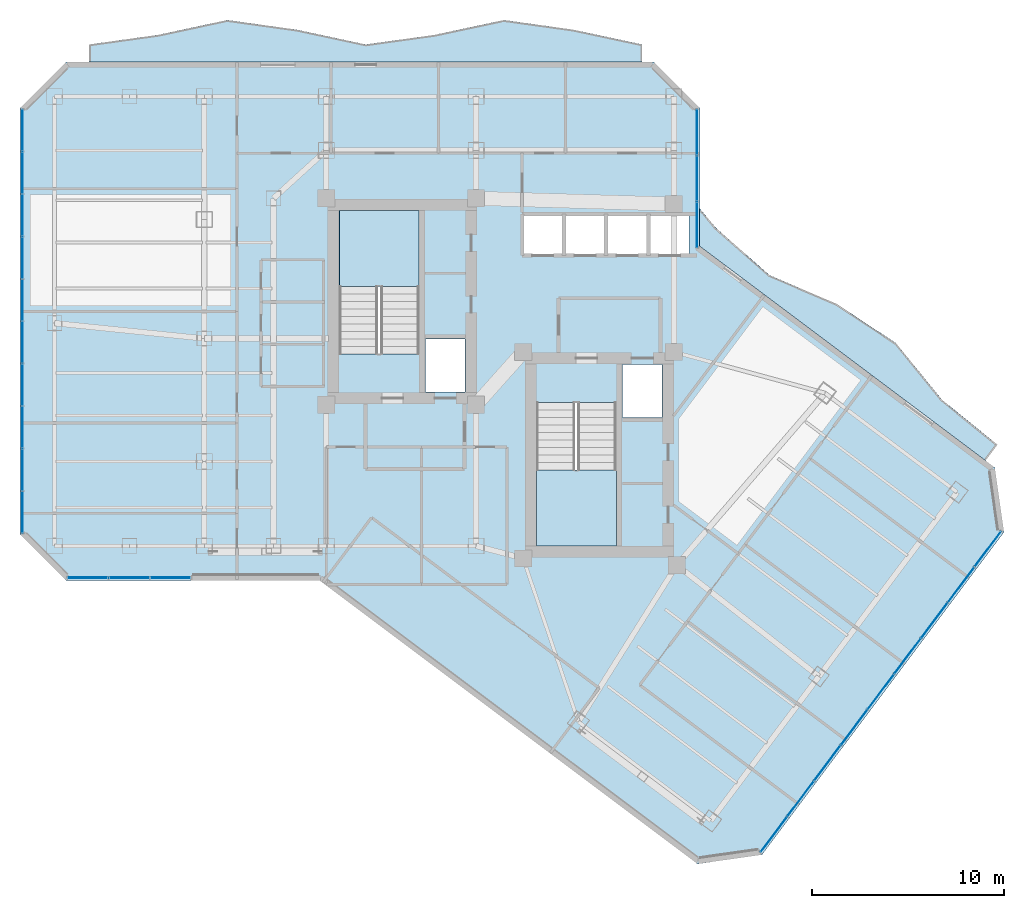
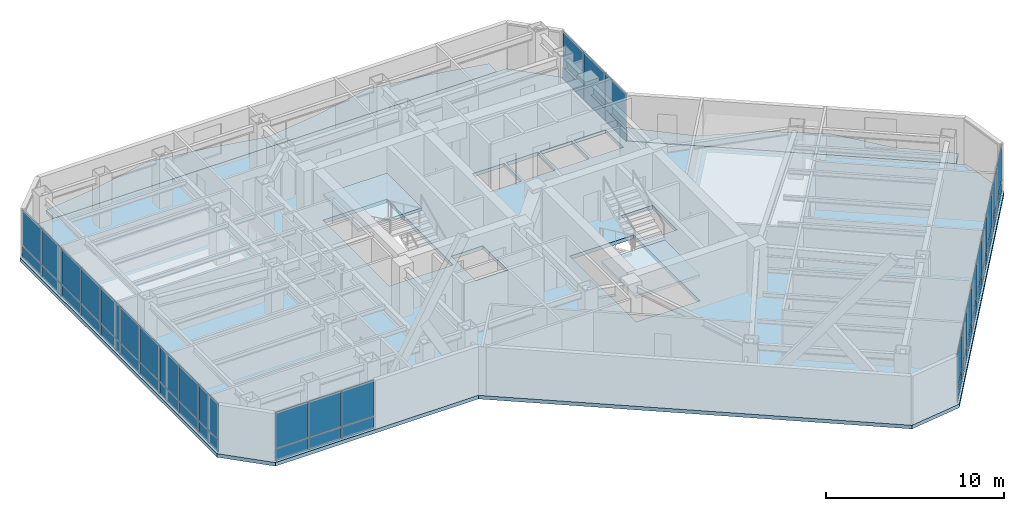
# One storey, part 20 of 27: 50 plates, 5 slabs, 6 elements without a shape of their own.
"""IFC4 building model written with IfcOpenShell, lengths in metres."""

from ifc_helpers import new_model, si_unit, direction, frame, origin, origin_2d, place, context, subcontext, project, spatial, polyline, rectangle, outline, extrude, material, layer, layer_set, type_object, element, aggregate, save


model = new_model("IFC4")

# Units and contexts
model_context = context("Model", 3, precision=1e-05, world=origin(), true_north=direction((0.0, 1.0)))
body_context = subcontext(model_context, "Body", "Model", "MODEL_VIEW")
ifc_project = project(units=[si_unit("LENGTHUNIT", "METRE"), si_unit("AREAUNIT", "SQUARE_METRE"), si_unit("VOLUMEUNIT", "CUBIC_METRE"), si_unit("PLANEANGLEUNIT", "RADIAN"), si_unit("MASSUNIT", "GRAM", prefix="KILO")], contexts=[model_context])

# Site, building, storey
site_placement = place(None, origin())
site = spatial("IfcSite", under=ifc_project, at=site_placement, CompositionType="ELEMENT")
building_placement = place(site_placement, origin())
building = spatial("IfcBuilding", under=site, at=building_placement, Name="Hatsunagi Terrace Concourse", CompositionType="ELEMENT")
storey_placement = place(building_placement, frame((0.0, 0.0, 145.64990234375)))
storey = spatial("IfcBuildingStorey", under=building, at=storey_placement, Name="L38", CompositionType="ELEMENT", Elevation=145.64990234375)

# Curtain wall, plates
ifc_material_1 = material(Name="Anodised Aluminium Alloy 6063-T5", Category="aluminium")
ifc_layer_1 = layer(ifc_material_1, 0.199951171875)
ifc_layer_set_1 = layer_set([ifc_layer_1], Name="OfficeZone1_CW03")
curtain_wall_type = type_object("IfcCurtainWallType", Name="OfficeZone1_CW03", PredefinedType="NOTDEFINED", material=ifc_layer_set_1)
curtain_wall_1_placement = place(storey_placement, origin())
curtain_wall_1 = element("IfcCurtainWall", 1, at=curtain_wall_1_placement, inside=storey, type_object=curtain_wall_type, Name="Unitised Curtain Wall CW-03 CW-L38-03", PredefinedType="NOTDEFINED")
ifc_material_2 = material(Name="Warm Terracotta Ceramic Spandrel Panel", Category="masonry")
ifc_layer_2 = layer(ifc_material_2, 0.031982421875)
ifc_layer_set_2 = layer_set([ifc_layer_2], Name="CurtainWallSpandrelPanel_32")
plate_type_1 = type_object("IfcPlateType", Name="CurtainWallSpandrelPanel_32", PredefinedType="SHEET", material=ifc_layer_set_2)
plate_1_placement = place(storey_placement, frame((59.9970703125, 25.030029296875, 0.030029296875), z_axis=(0.0, 0.0, 1.0), x_axis=(-0.599969314634, -0.800023013105, 0.0)))
plate_1 = element("IfcPlate", 2, at=plate_1_placement, type_object=plate_type_1, Name="Terracotta Spandrel Panel SPN-01", PredefinedType="SHEET", context=body_context, shape_type="SweptSolid", body=[
    extrude(rectangle(XDim=2.264892578125, YDim=0.031982421875, at=origin_2d()), origin(), (0.0, 0.0, 1.0), 0.7900390625),
])
plate_2_placement = place(storey_placement, frame((58.60498046875, 23.173095703125, 0.030029296875), z_axis=(0.0, 0.0, 1.0), x_axis=(-0.599969314634, -0.800023013105, 0.0)))
plate_2 = element("IfcPlate", 3, at=plate_2_placement, type_object=plate_type_1, Name="Terracotta Spandrel Panel SPN-01", PredefinedType="SHEET", context=body_context, shape_type="SweptSolid", body=[
    extrude(rectangle(XDim=2.264892578125, YDim=0.031982421875, at=origin_2d()), origin(), (0.0, 0.0, 1.0), 0.7900390625),
])
plate_3_placement = place(storey_placement, frame((57.2119140625, 21.31689453125, 0.030029296875), z_axis=(0.0, 0.0, 1.0), x_axis=(-0.599969314634, -0.800023013105, 0.0)))
plate_3 = element("IfcPlate", 4, at=plate_3_placement, type_object=plate_type_1, Name="Terracotta Spandrel Panel SPN-01", PredefinedType="SHEET", context=body_context, shape_type="SweptSolid", body=[
    extrude(rectangle(XDim=2.264892578125, YDim=0.031982421875, at=origin_2d()), origin(), (0.0, 0.0, 1.0), 0.7900390625),
])
plate_4_placement = place(storey_placement, frame((55.820068359375, 19.4599609375, 0.030029296875), z_axis=(0.0, 0.0, 1.0), x_axis=(-0.599969314634, -0.800023013105, 0.0)))
plate_4 = element("IfcPlate", 5, at=plate_4_placement, type_object=plate_type_1, Name="Terracotta Spandrel Panel SPN-01", PredefinedType="SHEET", context=body_context, shape_type="SweptSolid", body=[
    extrude(rectangle(XDim=2.264892578125, YDim=0.031982421875, at=origin_2d()), origin(), (0.0, 0.0, 1.0), 0.7900390625),
])
plate_5_placement = place(storey_placement, frame((54.427978515625, 17.60400390625, 0.030029296875), z_axis=(0.0, 0.0, 1.0), x_axis=(-0.599969314634, -0.800023013105, 0.0)))
plate_5 = element("IfcPlate", 6, at=plate_5_placement, type_object=plate_type_1, Name="Terracotta Spandrel Panel SPN-01", PredefinedType="SHEET", context=body_context, shape_type="SweptSolid", body=[
    extrude(rectangle(XDim=2.264892578125, YDim=0.031982421875, at=origin_2d()), origin(), (0.0, 0.0, 1.0), 0.7900390625),
])
plate_6_placement = place(storey_placement, frame((53.035888671875, 15.748046875, 0.030029296875), z_axis=(0.0, 0.0, 1.0), x_axis=(-0.599969314634, -0.800023013105, 0.0)))
plate_6 = element("IfcPlate", 7, at=plate_6_placement, type_object=plate_type_1, Name="Terracotta Spandrel Panel SPN-01", PredefinedType="SHEET", context=body_context, shape_type="SweptSolid", body=[
    extrude(rectangle(XDim=2.264892578125, YDim=0.031982421875, at=origin_2d()), origin(), (0.0, 0.0, 1.0), 0.7900390625),
])
plate_7_placement = place(storey_placement, frame((51.64404296875, 13.89111328125, 0.030029296875), z_axis=(0.0, 0.0, 1.0), x_axis=(-0.599969314634, -0.800023013105, 0.0)))
plate_7 = element("IfcPlate", 8, at=plate_7_placement, type_object=plate_type_1, Name="Terracotta Spandrel Panel SPN-01", PredefinedType="SHEET", context=body_context, shape_type="SweptSolid", body=[
    extrude(rectangle(XDim=2.264892578125, YDim=0.031982421875, at=origin_2d()), origin(), (0.0, 0.0, 1.0), 0.7900390625),
])
plate_8_placement = place(storey_placement, frame((50.2509765625, 12.034912109375, 0.030029296875), z_axis=(0.0, 0.0, 1.0), x_axis=(-0.599969314634, -0.800023013105, 0.0)))
plate_8 = element("IfcPlate", 9, at=plate_8_placement, type_object=plate_type_1, Name="Terracotta Spandrel Panel SPN-01", PredefinedType="SHEET", context=body_context, shape_type="SweptSolid", body=[
    extrude(rectangle(XDim=2.264892578125, YDim=0.031982421875, at=origin_2d()), origin(), (0.0, 0.0, 1.0), 0.7900390625),
])
plate_9_placement = place(storey_placement, frame((48.85888671875, 10.177978515625, 0.030029296875), z_axis=(0.0, 0.0, 1.0), x_axis=(-0.599969314634, -0.800023013105, 0.0)))
plate_9 = element("IfcPlate", 10, at=plate_9_placement, type_object=plate_type_1, Name="Terracotta Spandrel Panel SPN-01", PredefinedType="SHEET", context=body_context, shape_type="SweptSolid", body=[
    extrude(rectangle(XDim=2.264892578125, YDim=0.031982421875, at=origin_2d()), origin(), (0.0, 0.0, 1.0), 0.7900390625),
])

curtain_wall_2_placement = place(storey_placement, origin())
curtain_wall_2 = element("IfcCurtainWall", 11, at=curtain_wall_2_placement, inside=storey, type_object=curtain_wall_type, Name="Unitised Curtain Wall CW-03 CW-L38-07", PredefinedType="NOTDEFINED")
plate_10_placement = place(storey_placement, frame((17.426025390625, 23.5400390625, 0.030029296875), z_axis=(0.0, 0.0, 1.0), x_axis=(-1.0, 0.0, 0.0)))
plate_10 = element("IfcPlate", 12, at=plate_10_placement, type_object=plate_type_1, Name="Terracotta Spandrel Panel SPN-01", PredefinedType="SHEET", context=body_context, shape_type="SweptSolid", body=[
    extrude(rectangle(XDim=2.092041015625, YDim=0.031982421875, at=origin_2d()), origin(), (0.0, 0.0, 1.0), 0.7900390625),
])
plate_11_placement = place(storey_placement, frame((15.279052734375, 23.5400390625, 0.030029296875), z_axis=(0.0, 0.0, 1.0), x_axis=(-1.0, 0.0, 0.0)))
plate_11 = element("IfcPlate", 13, at=plate_11_placement, type_object=plate_type_1, Name="Terracotta Spandrel Panel SPN-01", PredefinedType="SHEET", context=body_context, shape_type="SweptSolid", body=[
    extrude(rectangle(XDim=2.092041015625, YDim=0.031982421875, at=origin_2d()), origin(), (0.0, 0.0, 1.0), 0.7900390625),
])
plate_12_placement = place(storey_placement, frame((13.132080078125, 23.5400390625, 0.030029296875), z_axis=(0.0, 0.0, 1.0), x_axis=(-1.0, 0.0, 0.0)))
plate_12 = element("IfcPlate", 14, at=plate_12_placement, type_object=plate_type_1, Name="Terracotta Spandrel Panel SPN-01", PredefinedType="SHEET", context=body_context, shape_type="SweptSolid", body=[
    extrude(rectangle(XDim=2.092041015625, YDim=0.031982421875, at=origin_2d()), origin(), (0.0, 0.0, 1.0), 0.7900390625),
])

curtain_wall_3_placement = place(storey_placement, origin())
curtain_wall_3 = element("IfcCurtainWall", 15, at=curtain_wall_3_placement, inside=storey, type_object=curtain_wall_type, Name="Unitised Curtain Wall CW-03 CW-L38-09", PredefinedType="NOTDEFINED")
plate_13_placement = place(storey_placement, frame((9.739990234375, 26.9619140625, 0.030029296875), z_axis=(0.0, 0.0, 1.0), x_axis=(0.0, 1.0, 0.0)))
plate_13 = element("IfcPlate", 16, at=plate_13_placement, type_object=plate_type_1, Name="Terracotta Spandrel Panel SPN-01", PredefinedType="SHEET", context=body_context, shape_type="SweptSolid", body=[
    extrude(rectangle(XDim=2.153076171875, YDim=0.031982421875, at=origin_2d()), origin(), (0.0, 0.0, 1.0), 0.7900390625),
])
plate_14_placement = place(storey_placement, frame((9.739990234375, 29.1708984375, 0.030029296875), z_axis=(0.0, 0.0, 1.0), x_axis=(0.0, 1.0, 0.0)))
plate_14 = element("IfcPlate", 17, at=plate_14_placement, type_object=plate_type_1, Name="Terracotta Spandrel Panel SPN-01", PredefinedType="SHEET", context=body_context, shape_type="SweptSolid", body=[
    extrude(rectangle(XDim=2.153076171875, YDim=0.031982421875, at=origin_2d()), origin(), (0.0, 0.0, 1.0), 0.7900390625),
])
plate_15_placement = place(storey_placement, frame((9.739990234375, 31.37890625, 0.030029296875), z_axis=(0.0, 0.0, 1.0), x_axis=(0.0, 1.0, 0.0)))
plate_15 = element("IfcPlate", 18, at=plate_15_placement, type_object=plate_type_1, Name="Terracotta Spandrel Panel SPN-01", PredefinedType="SHEET", context=body_context, shape_type="SweptSolid", body=[
    extrude(rectangle(XDim=2.153076171875, YDim=0.031982421875, at=origin_2d()), origin(), (0.0, 0.0, 1.0), 0.7900390625),
])
plate_16_placement = place(storey_placement, frame((9.739990234375, 33.5869140625, 0.030029296875), z_axis=(0.0, 0.0, 1.0), x_axis=(0.0, 1.0, 0.0)))
plate_16 = element("IfcPlate", 19, at=plate_16_placement, type_object=plate_type_1, Name="Terracotta Spandrel Panel SPN-01", PredefinedType="SHEET", context=body_context, shape_type="SweptSolid", body=[
    extrude(rectangle(XDim=2.153076171875, YDim=0.031982421875, at=origin_2d()), origin(), (0.0, 0.0, 1.0), 0.7900390625),
])
plate_17_placement = place(storey_placement, frame((9.739990234375, 35.7958984375, 0.030029296875), z_axis=(0.0, 0.0, 1.0), x_axis=(0.0, 1.0, 0.0)))
plate_17 = element("IfcPlate", 20, at=plate_17_placement, type_object=plate_type_1, Name="Terracotta Spandrel Panel SPN-01", PredefinedType="SHEET", context=body_context, shape_type="SweptSolid", body=[
    extrude(rectangle(XDim=2.153076171875, YDim=0.031982421875, at=origin_2d()), origin(), (0.0, 0.0, 1.0), 0.7900390625),
])
plate_18_placement = place(storey_placement, frame((9.739990234375, 38.00390625, 0.030029296875), z_axis=(0.0, 0.0, 1.0), x_axis=(0.0, 1.0, 0.0)))
plate_18 = element("IfcPlate", 21, at=plate_18_placement, type_object=plate_type_1, Name="Terracotta Spandrel Panel SPN-01", PredefinedType="SHEET", context=body_context, shape_type="SweptSolid", body=[
    extrude(rectangle(XDim=2.153076171875, YDim=0.031982421875, at=origin_2d()), origin(), (0.0, 0.0, 1.0), 0.7900390625),
])
plate_19_placement = place(storey_placement, frame((9.739990234375, 40.212890625, 0.030029296875), z_axis=(0.0, 0.0, 1.0), x_axis=(0.0, 1.0, 0.0)))
plate_19 = element("IfcPlate", 22, at=plate_19_placement, type_object=plate_type_1, Name="Terracotta Spandrel Panel SPN-01", PredefinedType="SHEET", context=body_context, shape_type="SweptSolid", body=[
    extrude(rectangle(XDim=2.153076171875, YDim=0.031982421875, at=origin_2d()), origin(), (0.0, 0.0, 1.0), 0.7900390625),
])
plate_20_placement = place(storey_placement, frame((9.739990234375, 42.4208984375, 0.030029296875), z_axis=(0.0, 0.0, 1.0), x_axis=(0.0, 1.0, 0.0)))
plate_20 = element("IfcPlate", 23, at=plate_20_placement, type_object=plate_type_1, Name="Terracotta Spandrel Panel SPN-01", PredefinedType="SHEET", context=body_context, shape_type="SweptSolid", body=[
    extrude(rectangle(XDim=2.153076171875, YDim=0.031982421875, at=origin_2d()), origin(), (0.0, 0.0, 1.0), 0.7900390625),
])
plate_21_placement = place(storey_placement, frame((9.739990234375, 44.62890625, 0.030029296875), z_axis=(0.0, 0.0, 1.0), x_axis=(0.0, 1.0, 0.0)))
plate_21 = element("IfcPlate", 24, at=plate_21_placement, type_object=plate_type_1, Name="Terracotta Spandrel Panel SPN-01", PredefinedType="SHEET", context=body_context, shape_type="SweptSolid", body=[
    extrude(rectangle(XDim=2.153076171875, YDim=0.031982421875, at=origin_2d()), origin(), (0.0, 0.0, 1.0), 0.7900390625),
])
plate_22_placement = place(storey_placement, frame((9.739990234375, 46.837890625, 0.030029296875), z_axis=(0.0, 0.0, 1.0), x_axis=(0.0, 1.0, 0.0)))
plate_22 = element("IfcPlate", 25, at=plate_22_placement, type_object=plate_type_1, Name="Terracotta Spandrel Panel SPN-01", PredefinedType="SHEET", context=body_context, shape_type="SweptSolid", body=[
    extrude(rectangle(XDim=2.153076171875, YDim=0.031982421875, at=origin_2d()), origin(), (0.0, 0.0, 1.0), 0.7900390625),
])

curtain_wall_4_placement = place(storey_placement, origin())
curtain_wall_4 = element("IfcCurtainWall", 26, at=curtain_wall_4_placement, inside=storey, type_object=curtain_wall_type, Name="Unitised Curtain Wall CW-03 CW-L38-13", PredefinedType="NOTDEFINED")
plate_23_placement = place(storey_placement, frame((44.860107421875, 46.739990234375, 0.030029296875), z_axis=(0.0, 0.0, 1.0), x_axis=(0.0, -1.0, 0.0)))
plate_23 = element("IfcPlate", 27, at=plate_23_placement, type_object=plate_type_1, Name="Terracotta Spandrel Panel SPN-01", PredefinedType="SHEET", context=body_context, shape_type="SweptSolid", body=[
    extrude(rectangle(XDim=2.34912109375, YDim=0.031982421875, at=origin_2d()), origin(), (0.0, 0.0, 1.0), 0.7900390625),
])
plate_24_placement = place(storey_placement, frame((44.860107421875, 44.3359375, 0.030029296875), z_axis=(0.0, 0.0, 1.0), x_axis=(0.0, -1.0, 0.0)))
plate_24 = element("IfcPlate", 28, at=plate_24_placement, type_object=plate_type_1, Name="Terracotta Spandrel Panel SPN-01", PredefinedType="SHEET", context=body_context, shape_type="SweptSolid", body=[
    extrude(rectangle(XDim=2.34912109375, YDim=0.031982421875, at=origin_2d()), origin(), (0.0, 0.0, 1.0), 0.7900390625),
])
plate_25_placement = place(storey_placement, frame((44.860107421875, 41.931884765625, 0.030029296875), z_axis=(0.0, 0.0, 1.0), x_axis=(0.0, -1.0, 0.0)))
plate_25 = element("IfcPlate", 29, at=plate_25_placement, type_object=plate_type_1, Name="Terracotta Spandrel Panel SPN-01", PredefinedType="SHEET", context=body_context, shape_type="SweptSolid", body=[
    extrude(rectangle(XDim=2.34912109375, YDim=0.031982421875, at=origin_2d()), origin(), (0.0, 0.0, 1.0), 0.7900390625),
])

# Plate
ifc_material_3 = material(Name="Low-E Double Insulating Glass 28mm", Category="glass")
ifc_layer_3 = layer(ifc_material_3, 0.028076171875)
ifc_layer_set_3 = layer_set([ifc_layer_3], Name="CurtainWallVisionGlass_28")
plate_type_2 = type_object("IfcPlateType", Name="CurtainWallVisionGlass_28", PredefinedType="CURTAIN_PANEL", material=ifc_layer_set_3)
plate_26_placement = place(storey_placement, frame((59.9970703125, 25.030029296875, 0.880126953125), z_axis=(0.0, 0.0, 1.0), x_axis=(-0.599969314634, -0.800023013105, 0.0)))
plate_26 = element("IfcPlate", 30, at=plate_26_placement, type_object=plate_type_2, Name="Low-E Vision Glass Panel GLZ-01", PredefinedType="CURTAIN_PANEL", context=body_context, shape_type="SweptSolid", body=[
    extrude(rectangle(XDim=2.264892578125, YDim=0.028076171875, at=origin_2d()), origin(), (0.0, 0.0, 1.0), 2.43994140625),
])

plate_27_placement = place(storey_placement, frame((58.60498046875, 23.173095703125, 0.880126953125), z_axis=(0.0, 0.0, 1.0), x_axis=(-0.599969314634, -0.800023013105, 0.0)))
plate_27 = element("IfcPlate", 31, at=plate_27_placement, type_object=plate_type_2, Name="Low-E Vision Glass Panel GLZ-01", PredefinedType="CURTAIN_PANEL", context=body_context, shape_type="SweptSolid", body=[
    extrude(rectangle(XDim=2.264892578125, YDim=0.028076171875, at=origin_2d()), origin(), (0.0, 0.0, 1.0), 2.43994140625),
])

plate_28_placement = place(storey_placement, frame((57.2119140625, 21.31689453125, 0.880126953125), z_axis=(0.0, 0.0, 1.0), x_axis=(-0.599969314634, -0.800023013105, 0.0)))
plate_28 = element("IfcPlate", 32, at=plate_28_placement, type_object=plate_type_2, Name="Low-E Vision Glass Panel GLZ-01", PredefinedType="CURTAIN_PANEL", context=body_context, shape_type="SweptSolid", body=[
    extrude(rectangle(XDim=2.264892578125, YDim=0.028076171875, at=origin_2d()), origin(), (0.0, 0.0, 1.0), 2.43994140625),
])

plate_29_placement = place(storey_placement, frame((55.820068359375, 19.4599609375, 0.880126953125), z_axis=(0.0, 0.0, 1.0), x_axis=(-0.599969314634, -0.800023013105, 0.0)))
plate_29 = element("IfcPlate", 33, at=plate_29_placement, type_object=plate_type_2, Name="Low-E Vision Glass Panel GLZ-01", PredefinedType="CURTAIN_PANEL", context=body_context, shape_type="SweptSolid", body=[
    extrude(rectangle(XDim=2.264892578125, YDim=0.028076171875, at=origin_2d()), origin(), (0.0, 0.0, 1.0), 2.43994140625),
])

plate_30_placement = place(storey_placement, frame((54.427978515625, 17.60400390625, 0.880126953125), z_axis=(0.0, 0.0, 1.0), x_axis=(-0.599969314634, -0.800023013105, 0.0)))
plate_30 = element("IfcPlate", 34, at=plate_30_placement, type_object=plate_type_2, Name="Low-E Vision Glass Panel GLZ-01", PredefinedType="CURTAIN_PANEL", context=body_context, shape_type="SweptSolid", body=[
    extrude(rectangle(XDim=2.264892578125, YDim=0.028076171875, at=origin_2d()), origin(), (0.0, 0.0, 1.0), 2.43994140625),
])

plate_31_placement = place(storey_placement, frame((53.035888671875, 15.748046875, 0.880126953125), z_axis=(0.0, 0.0, 1.0), x_axis=(-0.599969314634, -0.800023013105, 0.0)))
plate_31 = element("IfcPlate", 35, at=plate_31_placement, type_object=plate_type_2, Name="Low-E Vision Glass Panel GLZ-01", PredefinedType="CURTAIN_PANEL", context=body_context, shape_type="SweptSolid", body=[
    extrude(rectangle(XDim=2.264892578125, YDim=0.028076171875, at=origin_2d()), origin(), (0.0, 0.0, 1.0), 2.43994140625),
])

plate_32_placement = place(storey_placement, frame((51.64404296875, 13.89111328125, 0.880126953125), z_axis=(0.0, 0.0, 1.0), x_axis=(-0.599969314634, -0.800023013105, 0.0)))
plate_32 = element("IfcPlate", 36, at=plate_32_placement, type_object=plate_type_2, Name="Low-E Vision Glass Panel GLZ-01", PredefinedType="CURTAIN_PANEL", context=body_context, shape_type="SweptSolid", body=[
    extrude(rectangle(XDim=2.264892578125, YDim=0.028076171875, at=origin_2d()), origin(), (0.0, 0.0, 1.0), 2.43994140625),
])

plate_33_placement = place(storey_placement, frame((50.2509765625, 12.034912109375, 0.880126953125), z_axis=(0.0, 0.0, 1.0), x_axis=(-0.599969314634, -0.800023013105, 0.0)))
plate_33 = element("IfcPlate", 37, at=plate_33_placement, type_object=plate_type_2, Name="Low-E Vision Glass Panel GLZ-01", PredefinedType="CURTAIN_PANEL", context=body_context, shape_type="SweptSolid", body=[
    extrude(rectangle(XDim=2.264892578125, YDim=0.028076171875, at=origin_2d()), origin(), (0.0, 0.0, 1.0), 2.43994140625),
])

plate_34_placement = place(storey_placement, frame((48.85888671875, 10.177978515625, 0.880126953125), z_axis=(0.0, 0.0, 1.0), x_axis=(-0.599969314634, -0.800023013105, 0.0)))
plate_34 = element("IfcPlate", 38, at=plate_34_placement, type_object=plate_type_2, Name="Low-E Vision Glass Panel GLZ-01", PredefinedType="CURTAIN_PANEL", context=body_context, shape_type="SweptSolid", body=[
    extrude(rectangle(XDim=2.264892578125, YDim=0.028076171875, at=origin_2d()), origin(), (0.0, 0.0, 1.0), 2.43994140625),
])

aggregate(curtain_wall_1, [plate_1, plate_26, plate_2, plate_27, plate_3, plate_28, plate_4, plate_29, plate_5, plate_30, plate_6, plate_31, plate_7, plate_32, plate_8, plate_33, plate_9, plate_34])

plate_35_placement = place(storey_placement, frame((17.426025390625, 23.5400390625, 0.880126953125), z_axis=(0.0, 0.0, 1.0), x_axis=(-1.0, 0.0, 0.0)))
plate_35 = element("IfcPlate", 39, at=plate_35_placement, type_object=plate_type_2, Name="Low-E Vision Glass Panel GLZ-01", PredefinedType="CURTAIN_PANEL", context=body_context, shape_type="SweptSolid", body=[
    extrude(rectangle(XDim=2.092041015625, YDim=0.028076171875, at=origin_2d()), origin(), (0.0, 0.0, 1.0), 2.43994140625),
])

plate_36_placement = place(storey_placement, frame((15.279052734375, 23.5400390625, 0.880126953125), z_axis=(0.0, 0.0, 1.0), x_axis=(-1.0, 0.0, 0.0)))
plate_36 = element("IfcPlate", 40, at=plate_36_placement, type_object=plate_type_2, Name="Low-E Vision Glass Panel GLZ-01", PredefinedType="CURTAIN_PANEL", context=body_context, shape_type="SweptSolid", body=[
    extrude(rectangle(XDim=2.092041015625, YDim=0.028076171875, at=origin_2d()), origin(), (0.0, 0.0, 1.0), 2.43994140625),
])

plate_37_placement = place(storey_placement, frame((13.132080078125, 23.5400390625, 0.880126953125), z_axis=(0.0, 0.0, 1.0), x_axis=(-1.0, 0.0, 0.0)))
plate_37 = element("IfcPlate", 41, at=plate_37_placement, type_object=plate_type_2, Name="Low-E Vision Glass Panel GLZ-01", PredefinedType="CURTAIN_PANEL", context=body_context, shape_type="SweptSolid", body=[
    extrude(rectangle(XDim=2.092041015625, YDim=0.028076171875, at=origin_2d()), origin(), (0.0, 0.0, 1.0), 2.43994140625),
])

aggregate(curtain_wall_2, [plate_10, plate_35, plate_11, plate_36, plate_12, plate_37])

plate_38_placement = place(storey_placement, frame((9.739990234375, 26.9619140625, 0.880126953125), z_axis=(0.0, 0.0, 1.0), x_axis=(0.0, 1.0, 0.0)))
plate_38 = element("IfcPlate", 42, at=plate_38_placement, type_object=plate_type_2, Name="Low-E Vision Glass Panel GLZ-01", PredefinedType="CURTAIN_PANEL", context=body_context, shape_type="SweptSolid", body=[
    extrude(rectangle(XDim=2.153076171875, YDim=0.028076171875, at=origin_2d()), origin(), (0.0, 0.0, 1.0), 2.43994140625),
])

plate_39_placement = place(storey_placement, frame((9.739990234375, 29.1708984375, 0.880126953125), z_axis=(0.0, 0.0, 1.0), x_axis=(0.0, 1.0, 0.0)))
plate_39 = element("IfcPlate", 43, at=plate_39_placement, type_object=plate_type_2, Name="Low-E Vision Glass Panel GLZ-01", PredefinedType="CURTAIN_PANEL", context=body_context, shape_type="SweptSolid", body=[
    extrude(rectangle(XDim=2.153076171875, YDim=0.028076171875, at=origin_2d()), origin(), (0.0, 0.0, 1.0), 2.43994140625),
])

plate_40_placement = place(storey_placement, frame((9.739990234375, 31.37890625, 0.880126953125), z_axis=(0.0, 0.0, 1.0), x_axis=(0.0, 1.0, 0.0)))
plate_40 = element("IfcPlate", 44, at=plate_40_placement, type_object=plate_type_2, Name="Low-E Vision Glass Panel GLZ-01", PredefinedType="CURTAIN_PANEL", context=body_context, shape_type="SweptSolid", body=[
    extrude(rectangle(XDim=2.153076171875, YDim=0.028076171875, at=origin_2d()), origin(), (0.0, 0.0, 1.0), 2.43994140625),
])

plate_41_placement = place(storey_placement, frame((9.739990234375, 33.5869140625, 0.880126953125), z_axis=(0.0, 0.0, 1.0), x_axis=(0.0, 1.0, 0.0)))
plate_41 = element("IfcPlate", 45, at=plate_41_placement, type_object=plate_type_2, Name="Low-E Vision Glass Panel GLZ-01", PredefinedType="CURTAIN_PANEL", context=body_context, shape_type="SweptSolid", body=[
    extrude(rectangle(XDim=2.153076171875, YDim=0.028076171875, at=origin_2d()), origin(), (0.0, 0.0, 1.0), 2.43994140625),
])

plate_42_placement = place(storey_placement, frame((9.739990234375, 35.7958984375, 0.880126953125), z_axis=(0.0, 0.0, 1.0), x_axis=(0.0, 1.0, 0.0)))
plate_42 = element("IfcPlate", 46, at=plate_42_placement, type_object=plate_type_2, Name="Low-E Vision Glass Panel GLZ-01", PredefinedType="CURTAIN_PANEL", context=body_context, shape_type="SweptSolid", body=[
    extrude(rectangle(XDim=2.153076171875, YDim=0.028076171875, at=origin_2d()), origin(), (0.0, 0.0, 1.0), 2.43994140625),
])

plate_43_placement = place(storey_placement, frame((9.739990234375, 38.00390625, 0.880126953125), z_axis=(0.0, 0.0, 1.0), x_axis=(0.0, 1.0, 0.0)))
plate_43 = element("IfcPlate", 47, at=plate_43_placement, type_object=plate_type_2, Name="Low-E Vision Glass Panel GLZ-01", PredefinedType="CURTAIN_PANEL", context=body_context, shape_type="SweptSolid", body=[
    extrude(rectangle(XDim=2.153076171875, YDim=0.028076171875, at=origin_2d()), origin(), (0.0, 0.0, 1.0), 2.43994140625),
])

plate_44_placement = place(storey_placement, frame((9.739990234375, 40.212890625, 0.880126953125), z_axis=(0.0, 0.0, 1.0), x_axis=(0.0, 1.0, 0.0)))
plate_44 = element("IfcPlate", 48, at=plate_44_placement, type_object=plate_type_2, Name="Low-E Vision Glass Panel GLZ-01", PredefinedType="CURTAIN_PANEL", context=body_context, shape_type="SweptSolid", body=[
    extrude(rectangle(XDim=2.153076171875, YDim=0.028076171875, at=origin_2d()), origin(), (0.0, 0.0, 1.0), 2.43994140625),
])

plate_45_placement = place(storey_placement, frame((9.739990234375, 42.4208984375, 0.880126953125), z_axis=(0.0, 0.0, 1.0), x_axis=(0.0, 1.0, 0.0)))
plate_45 = element("IfcPlate", 49, at=plate_45_placement, type_object=plate_type_2, Name="Low-E Vision Glass Panel GLZ-01", PredefinedType="CURTAIN_PANEL", context=body_context, shape_type="SweptSolid", body=[
    extrude(rectangle(XDim=2.153076171875, YDim=0.028076171875, at=origin_2d()), origin(), (0.0, 0.0, 1.0), 2.43994140625),
])

plate_46_placement = place(storey_placement, frame((9.739990234375, 44.62890625, 0.880126953125), z_axis=(0.0, 0.0, 1.0), x_axis=(0.0, 1.0, 0.0)))
plate_46 = element("IfcPlate", 50, at=plate_46_placement, type_object=plate_type_2, Name="Low-E Vision Glass Panel GLZ-01", PredefinedType="CURTAIN_PANEL", context=body_context, shape_type="SweptSolid", body=[
    extrude(rectangle(XDim=2.153076171875, YDim=0.028076171875, at=origin_2d()), origin(), (0.0, 0.0, 1.0), 2.43994140625),
])

plate_47_placement = place(storey_placement, frame((9.739990234375, 46.837890625, 0.880126953125), z_axis=(0.0, 0.0, 1.0), x_axis=(0.0, 1.0, 0.0)))
plate_47 = element("IfcPlate", 51, at=plate_47_placement, type_object=plate_type_2, Name="Low-E Vision Glass Panel GLZ-01", PredefinedType="CURTAIN_PANEL", context=body_context, shape_type="SweptSolid", body=[
    extrude(rectangle(XDim=2.153076171875, YDim=0.028076171875, at=origin_2d()), origin(), (0.0, 0.0, 1.0), 2.43994140625),
])

aggregate(curtain_wall_3, [plate_13, plate_38, plate_14, plate_39, plate_15, plate_40, plate_16, plate_41, plate_17, plate_42, plate_18, plate_43, plate_19, plate_44, plate_20, plate_45, plate_21, plate_46, plate_22, plate_47])

plate_48_placement = place(storey_placement, frame((44.860107421875, 46.739990234375, 0.880126953125), z_axis=(0.0, 0.0, 1.0), x_axis=(0.0, -1.0, 0.0)))
plate_48 = element("IfcPlate", 52, at=plate_48_placement, type_object=plate_type_2, Name="Low-E Vision Glass Panel GLZ-01", PredefinedType="CURTAIN_PANEL", context=body_context, shape_type="SweptSolid", body=[
    extrude(rectangle(XDim=2.34912109375, YDim=0.028076171875, at=origin_2d()), origin(), (0.0, 0.0, 1.0), 2.43994140625),
])

plate_49_placement = place(storey_placement, frame((44.860107421875, 44.3359375, 0.880126953125), z_axis=(0.0, 0.0, 1.0), x_axis=(0.0, -1.0, 0.0)))
plate_49 = element("IfcPlate", 53, at=plate_49_placement, type_object=plate_type_2, Name="Low-E Vision Glass Panel GLZ-01", PredefinedType="CURTAIN_PANEL", context=body_context, shape_type="SweptSolid", body=[
    extrude(rectangle(XDim=2.34912109375, YDim=0.028076171875, at=origin_2d()), origin(), (0.0, 0.0, 1.0), 2.43994140625),
])

plate_50_placement = place(storey_placement, frame((44.860107421875, 41.931884765625, 0.880126953125), z_axis=(0.0, 0.0, 1.0), x_axis=(0.0, -1.0, 0.0)))
plate_50 = element("IfcPlate", 54, at=plate_50_placement, type_object=plate_type_2, Name="Low-E Vision Glass Panel GLZ-01", PredefinedType="CURTAIN_PANEL", context=body_context, shape_type="SweptSolid", body=[
    extrude(rectangle(XDim=2.34912109375, YDim=0.028076171875, at=origin_2d()), origin(), (0.0, 0.0, 1.0), 2.43994140625),
])

aggregate(curtain_wall_4, [plate_23, plate_48, plate_24, plate_49, plate_25, plate_50])

# Stair, slab
ifc_material_4 = material(Name="Concrete Fc42", Category="concrete")
stair_type = type_object("IfcStairType", Name="DoglegExitStair_Tower2000_20R_180", PredefinedType="HALF_TURN_STAIR", material=ifc_material_4)
stair_1_placement = place(storey_placement, origin())
stair_1 = element("IfcStair", 55, at=stair_1_placement, inside=storey, type_object=stair_type, Name="L38 Core A Protected Exit Stair ST-A", PredefinedType="HALF_TURN_STAIR")
ifc_material_5 = material(Name="Concrete Fc42", Category="concrete")
ifc_layer_4 = layer(ifc_material_5, 0.199951171875)
ifc_layer_set_4 = layer_set([ifc_layer_4], Name="DoglegStairLanding_Tower2000")
slab_type_1 = type_object("IfcSlabType", Name="DoglegStairLanding_Tower2000", PredefinedType="LANDING", material=ifc_layer_set_4)
slab_1_placement = place(storey_placement, frame((0.0, 0.0, 1.60009765625)))
slab_1 = element("IfcSlab", 56, at=slab_1_placement, type_object=slab_type_1, Name="ST-A landing 1", PredefinedType="LANDING", context=body_context, shape_type="SweptSolid", body=[
    extrude(outline(polyline([(30.3798828125, 38.7099609375), (30.3798828125, 42.659912109375), (26.22998046875, 42.659912109375), (26.22998046875, 38.7099609375), (30.3798828125, 38.7099609375)])), origin(), (0.0, 0.0, 1.0), 0.199951171875),
])
aggregate(stair_1, [slab_1])

stair_2_placement = place(storey_placement, origin())
stair_2 = element("IfcStair", 57, at=stair_2_placement, inside=storey, type_object=stair_type, Name="L38 Core B Protected Exit Stair ST-B", PredefinedType="HALF_TURN_STAIR")
slab_2_placement = place(storey_placement, frame((0.0, 0.0, 1.60009765625)))
slab_2 = element("IfcSlab", 58, at=slab_2_placement, type_object=slab_type_1, Name="ST-B landing 1", PredefinedType="LANDING", context=body_context, shape_type="SweptSolid", body=[
    extrude(outline(polyline([(36.5, 29.14990234375), (36.5, 25.199951171875), (40.64990234375, 25.199951171875), (40.64990234375, 29.14990234375), (36.5, 29.14990234375)])), origin(), (0.0, 0.0, 1.0), 0.199951171875),
])
aggregate(stair_2, [slab_2])

# Slabs
ifc_material_6 = material(Name="Concrete Fc42", Category="concrete")
ifc_layer_5 = layer(ifc_material_6, 0.199951171875)
ifc_layer_set_5 = layer_set([ifc_layer_5], Name="EngawaBalconySlab_Fc42_200")
slab_type_2 = type_object("IfcSlabType", Name="EngawaBalconySlab_Fc42_200", PredefinedType="FLOOR", material=ifc_layer_set_5)
slab_3_placement = place(storey_placement, frame((0.0, 0.0, -0.199951171875)))
element("IfcSlab", 59, at=slab_3_placement, inside=storey, type_object=slab_type_2, Name="Engawa Balcony Slab BAL-L38-BN", PredefinedType="FLOOR", context=body_context, shape_type="SweptSolid", body=[
    extrude(outline(polyline([(13.199951171875, 51.31396484375), (13.199951171875, 50.39990234375), (42.0, 50.39990234375), (42.0, 51.31396484375), (38.39990234375, 52.0849609375), (34.800048828125, 52.5859375), (31.199951171875, 51.81494140625), (27.60009765625, 51.31396484375), (24.0, 52.0849609375), (20.39990234375, 52.5859375), (16.800048828125, 51.81494140625), (13.199951171875, 51.31396484375)])), origin(), (0.0, 0.0, 1.0), 0.199951171875),
])
slab_4_placement = place(storey_placement, frame((0.0, 0.0, -0.199951171875)))
element("IfcSlab", 60, at=slab_4_placement, inside=storey, type_object=slab_type_2, Name="Engawa Balcony Slab BAL-L38-BSE", PredefinedType="FLOOR", context=body_context, shape_type="SweptSolid", body=[
    extrude(outline(polyline([(45.842041015625, 41.756103515625), (44.99609375, 42.77197265625), (44.99609375, 40.802978515625), (59.8798828125, 29.639892578125), (60.5029296875, 30.469970703125), (57.6240234375, 32.798095703125), (55.217041015625, 35.756103515625), (52.1279296875, 37.803955078125), (48.6259765625, 39.301025390625), (45.842041015625, 41.756103515625)])), origin(), (0.0, 0.0, 1.0), 0.199951171875),
])
ifc_material_7 = material(Name="Concrete Fc42", Category="concrete")
ifc_layer_6 = layer(ifc_material_7, 0.25)
ifc_layer_set_6 = layer_set([ifc_layer_6], Name="OfficeCrownSlab_Fc42_250")
slab_type_3 = type_object("IfcSlabType", Name="OfficeCrownSlab_Fc42_250", PredefinedType="FLOOR", material=ifc_layer_set_6)
slab_5_placement = place(storey_placement, frame((0.0, 0.0, -0.25)))
element("IfcSlab", 61, at=slab_5_placement, inside=storey, type_object=slab_type_3, Name="Floor Slab SL-250 L38", PredefinedType="FLOOR", context=body_context, shape_type="SweptSolid", body=[
    extrude(outline(polyline([(45.0, 40.800048828125), (45.0, 48.0), (42.60009765625, 50.39990234375), (12.0, 50.39990234375), (9.60009765625, 48.0), (9.60009765625, 25.800048828125), (12.0, 23.39990234375), (25.199951171875, 23.39990234375), (44.8798828125, 8.639892578125), (48.239990234375, 9.1201171875), (60.840087890625, 25.919921875), (60.360107421875, 29.280029296875), (45.0, 40.800048828125)]), holes=[polyline([(26.22998046875, 35.205078125), (30.3798828125, 35.205078125), (30.3798828125, 42.659912109375), (26.22998046875, 42.659912109375), (26.22998046875, 35.205078125)]), polyline([(36.5, 25.199951171875), (40.64990234375, 25.199951171875), (40.64990234375, 32.655029296875), (36.5, 32.655029296875), (36.5, 25.199951171875)]), polyline([(30.719970703125, 33.219970703125), (32.780029296875, 33.219970703125), (32.780029296875, 35.97998046875), (30.719970703125, 35.97998046875), (30.719970703125, 33.219970703125)]), polyline([(40.97998046875, 31.8798828125), (43.02001953125, 31.8798828125), (43.02001953125, 34.639892578125), (40.97998046875, 34.639892578125), (40.97998046875, 31.8798828125)]), polyline([(35.800048828125, 40.39990234375), (37.85009765625, 40.39990234375), (37.85009765625, 42.39990234375), (35.800048828125, 42.39990234375), (35.800048828125, 40.39990234375)]), polyline([(38.0, 40.39990234375), (40.050048828125, 40.39990234375), (40.050048828125, 42.39990234375), (38.0, 42.39990234375), (38.0, 40.39990234375)]), polyline([(40.199951171875, 40.39990234375), (42.25, 40.39990234375), (42.25, 42.39990234375), (40.199951171875, 42.39990234375), (40.199951171875, 40.39990234375)]), polyline([(42.39990234375, 40.39990234375), (44.449951171875, 40.39990234375), (44.449951171875, 42.39990234375), (42.39990234375, 42.39990234375), (42.39990234375, 40.39990234375)])]), origin(), (0.0, 0.0, 1.0), 0.25),
])

save(model, "model.ifc")
